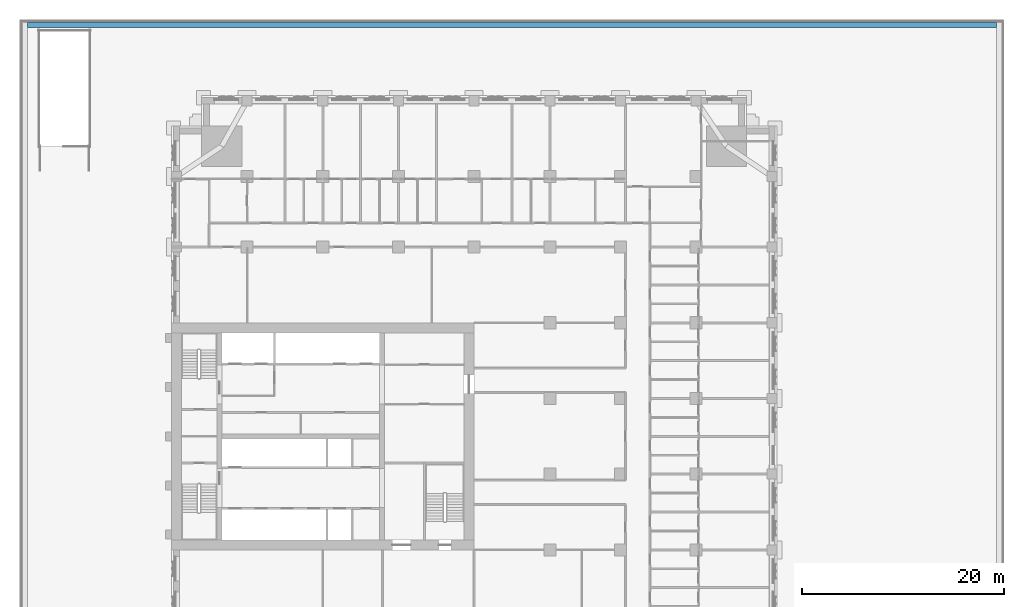
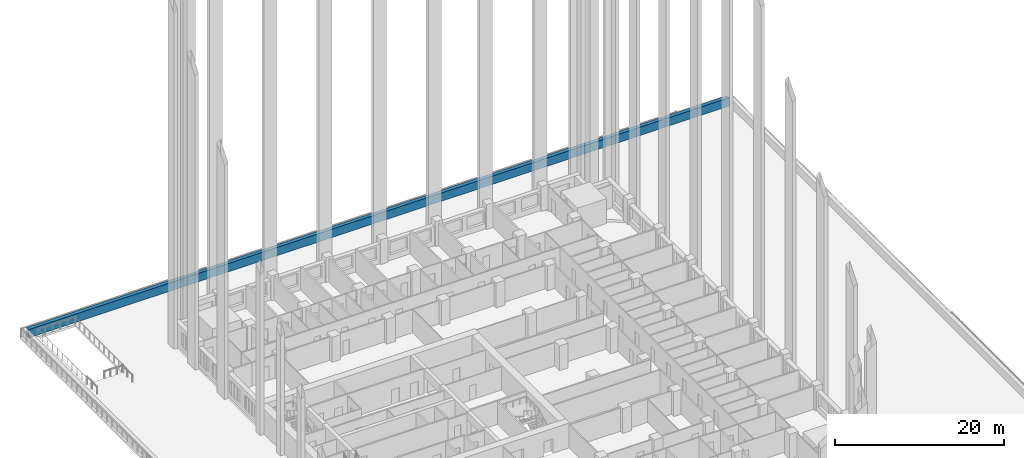
# One storey, part 21 of 27: 1 wall.
"""IFC4 building model written with IfcOpenShell, lengths in metres."""

from ifc_helpers import new_model, si_unit, direction, frame, frame_2d, origin, place, context, subcontext, project, spatial, rectangle, extrude, material, layer, layer_set, type_object, element, save


model = new_model("IFC4")

# Units and contexts
model_context = context("Model", 3, precision=1e-05, world=origin(), true_north=direction((0.0, 1.0)))
body_context = subcontext(model_context, "Body", "Model", "MODEL_VIEW")
ifc_project = project(units=[si_unit("LENGTHUNIT", "METRE"), si_unit("AREAUNIT", "SQUARE_METRE"), si_unit("VOLUMEUNIT", "CUBIC_METRE"), si_unit("PLANEANGLEUNIT", "RADIAN"), si_unit("MASSUNIT", "GRAM", prefix="KILO")], contexts=[model_context])

# Site, building, storey
site_placement = place(None, origin())
site = spatial("IfcSite", under=ifc_project, at=site_placement, CompositionType="ELEMENT")
building_placement = place(site_placement, origin())
building = spatial("IfcBuilding", under=site, at=building_placement, Name="Tamorin Gate", CompositionType="ELEMENT")
storey_placement = place(building_placement, frame((0.0, 0.0, 34.0)))
storey = spatial("IfcBuildingStorey", under=building, at=storey_placement, Name="L06", CompositionType="ELEMENT", Elevation=34.0)

# Wall
ifc_material = material(Name="Precast concrete C40/50", Category="concrete")
ifc_layer = layer(ifc_material, 0.5)
ifc_layer_set = layer_set([ifc_layer], Name="Precast concrete C40/50")
wall_type = type_object("IfcWallType", Name="Precast roof parapet 500", PredefinedType="PARAPET", material=ifc_layer_set)
wall_placement = place(storey_placement, frame((15.75, 112.0, 0.0), z_axis=(0.0, 0.0, 1.0), x_axis=(1.0, 0.0, 0.0)))
element("IfcWall", 1, at=wall_placement, inside=storey, type_object=wall_type, Name="Roof parapet", PredefinedType="PARAPET", context=body_context, shape_type="SweptSolid", body=[
    extrude(rectangle(XDim=96.0, YDim=0.5, at=frame_2d((48.0, 0.0))), origin(), (0.0, 0.0, 1.0), 1.199951171875),
])

save(model, "model.ifc")
